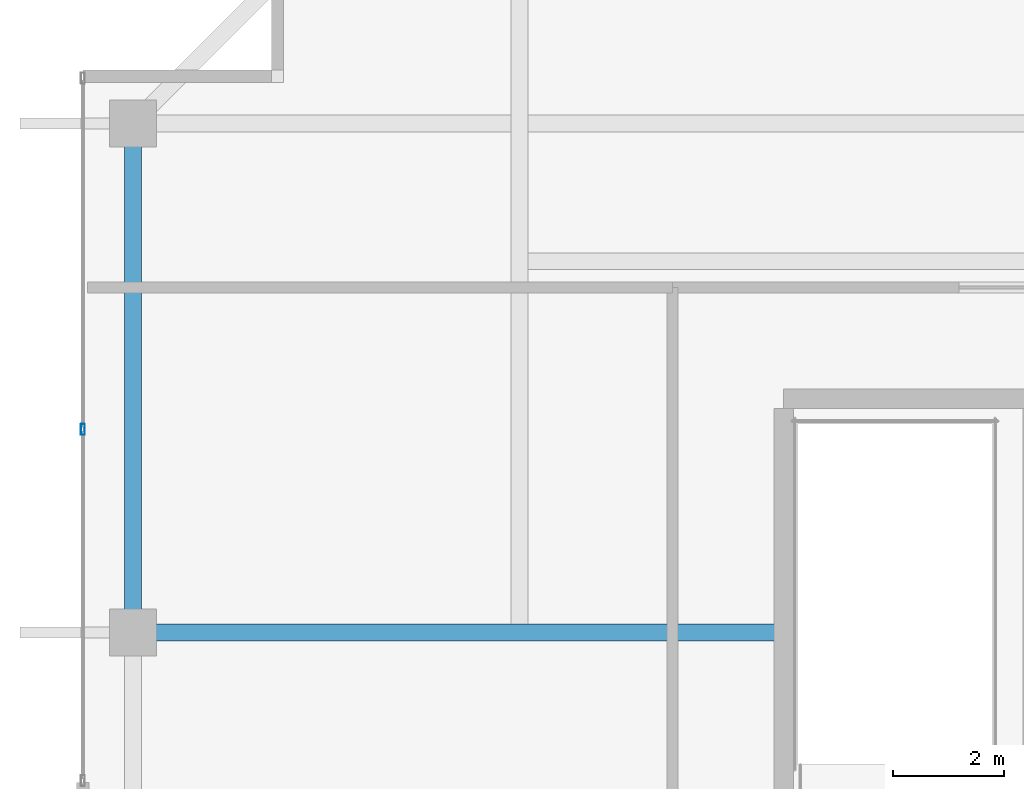
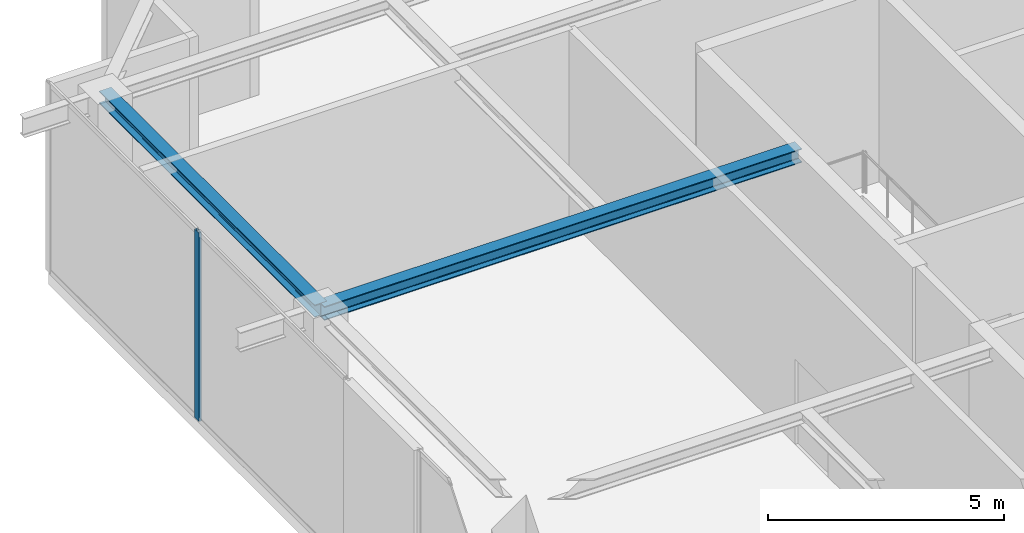
# One storey, part 10 of 27: 2 beams, 1 member, 1 element without a shape of its own.
"""IFC4 building model written with IfcOpenShell, lengths in metres."""

from ifc_helpers import new_model, si_unit, direction, frame, origin, origin_2d, place, context, subcontext, project, spatial, hollow_rectangle, i_section, extrude, source, transform, mapped, material, layer, layer_set, material_profile, profile_set, type_object, element, aggregate, save


model = new_model("IFC4")

# Units and contexts
model_context = context("Model", 3, precision=1e-05, world=origin(), true_north=direction((0.0, 1.0)))
body_context = subcontext(model_context, "Body", "Model", "MODEL_VIEW")
ifc_project = project(units=[si_unit("LENGTHUNIT", "METRE"), si_unit("AREAUNIT", "SQUARE_METRE"), si_unit("VOLUMEUNIT", "CUBIC_METRE"), si_unit("PLANEANGLEUNIT", "RADIAN"), si_unit("MASSUNIT", "GRAM", prefix="KILO")], contexts=[model_context])

# Site, building, storey
site_placement = place(None, origin())
site = spatial("IfcSite", under=ifc_project, at=site_placement, CompositionType="ELEMENT")
building_placement = place(site_placement, origin())
building = spatial("IfcBuilding", under=site, at=building_placement, Name="Serunith Strait Residences", CompositionType="ELEMENT")
storey_placement = place(building_placement, frame((0.0, 0.0, 365.75)))
storey = spatial("IfcBuildingStorey", under=building, at=storey_placement, Name="L89", CompositionType="ELEMENT", Elevation=365.75)

# Beams
ifc_material_1 = material(Name="Steel S355J2", Category="steel")
ifc_material_profile_1 = material_profile(ifc_material_1, i_section(OverallWidth=0.300048828125, OverallDepth=0.360107421875, WebThickness=0.012451171875, FlangeThickness=0.0224609375, FilletRadius=0.027099609375, at=origin_2d()), Name="HEB 360")
ifc_profile_set_1 = profile_set([ifc_material_profile_1], Name="Steel S355J2")
beam_type_1 = type_object("IfcBeamType", Name="BM-HEB360", PredefinedType="BEAM", material=ifc_profile_set_1)
shared_shape_1 = source(origin(), body_context, "Body", "SweptSolid", [
    extrude(i_section(OverallWidth=0.300048828125, OverallDepth=0.360107421875, WebThickness=0.012451171875, FlangeThickness=0.0224609375, FilletRadius=0.027099609375, at=origin_2d()), origin(), (0.0, 0.0, 1.0), 11.699951171875),
])
beam_1_placement = place(storey_placement, frame((23.39990234375, 29.39990234375, 4.717041015625), z_axis=(-1.0, 0.0, 0.0), x_axis=(0.0, -1.0, 0.0)))
element("IfcBeam", 1, at=beam_1_placement, inside=storey, type_object=beam_type_1, Name="L89 Primary Floor Girder TC-W3", PredefinedType="BEAM", context=body_context, shape_type="MappedRepresentation", body=[
    mapped(shared_shape_1, transform((0.0, 0.0, 0.0), scale=1.0)),
])
ifc_material_profile_2 = material_profile(ifc_material_1, i_section(OverallWidth=0.300048828125, OverallDepth=0.320068359375, WebThickness=0.011474609375, FlangeThickness=0.0205078125, FilletRadius=0.027099609375, at=origin_2d()), Name="HEB 320")
ifc_profile_set_2 = profile_set([ifc_material_profile_2], Name="Steel S355J2")
beam_type_2 = type_object("IfcBeamType", Name="BM-HEB320", PredefinedType="BEAM", material=ifc_profile_set_2)
shared_shape_2 = source(origin(), body_context, "Body", "SweptSolid", [
    extrude(i_section(OverallWidth=0.300048828125, OverallDepth=0.320068359375, WebThickness=0.011474609375, FlangeThickness=0.0205078125, FilletRadius=0.027099609375, at=origin_2d()), origin(), (0.0, 0.0, 1.0), 9.150146484375),
])
beam_2_placement = place(storey_placement, frame((11.699951171875, 38.550048828125, 4.737060546875), z_axis=(0.0, -1.0, 0.0), x_axis=(1.0, 0.0, 0.0)))
element("IfcBeam", 2, at=beam_2_placement, inside=storey, type_object=beam_type_2, Name="L89 Perimeter Ring Beam 13", PredefinedType="BEAM", context=body_context, shape_type="MappedRepresentation", body=[
    mapped(shared_shape_2, transform((0.0, 0.0, 0.0), scale=1.0)),
])

# Curtain wall, member
ifc_material_2 = material(Name="Pale-Silver Anodised Aluminium", Category="aluminium")
ifc_layer = layer(ifc_material_2, 0.199951171875, Name="Pale-Silver Anodised Aluminium")
ifc_layer_set = layer_set([ifc_layer], Name="Pale-Silver Anodised Aluminium")
curtain_wall_type = type_object("IfcCurtainWallType", Name="CW-SYS7", PredefinedType="NOTDEFINED", material=ifc_layer_set)
curtain_wall_placement = place(storey_placement, origin())
curtain_wall = element("IfcCurtainWall", 3, at=curtain_wall_placement, inside=storey, type_object=curtain_wall_type, Name="L89 W Unitised Fritted Curtain Wall", PredefinedType="NOTDEFINED")
ifc_material_profile_3 = material_profile(ifc_material_2, hollow_rectangle(XDim=0.072021484375, YDim=0.195068359375, WallThickness=0.00390625, InnerFilletRadius=0.006103515625, OuterFilletRadius=0.010009765625, at=origin_2d()), Name="ALU 195x72x4")
ifc_profile_set_3 = profile_set([ifc_material_profile_3], Name="Pale-Silver Anodised Aluminium")
member_type = type_object("IfcMemberType", Name="CW-SYS7-MULL", PredefinedType="MULLION", material=ifc_profile_set_3)
shared_shape_3 = source(origin(), body_context, "Body", "SweptSolid", [
    extrude(hollow_rectangle(XDim=0.072021484375, YDim=0.195068359375, WallThickness=0.00390625, InnerFilletRadius=0.006103515625, OuterFilletRadius=0.010009765625, at=origin_2d()), origin(), (0.0, 0.0, 1.0), 4.885009765625),
])
member_placement = place(storey_placement, frame((10.800048828125, 33.050048828125, 0.0), z_axis=(0.0, 0.0, 1.0), x_axis=(1.0, 0.0, 0.0)))
member = element("IfcMember", 4, at=member_placement, type_object=member_type, Name="CW-7 mullion 2", PredefinedType="MULLION", context=body_context, shape_type="MappedRepresentation", body=[
    mapped(shared_shape_3, transform((0.0, 0.0, 0.0), scale=1.0)),
])
aggregate(curtain_wall, [member])

save(model, "model.ifc")
